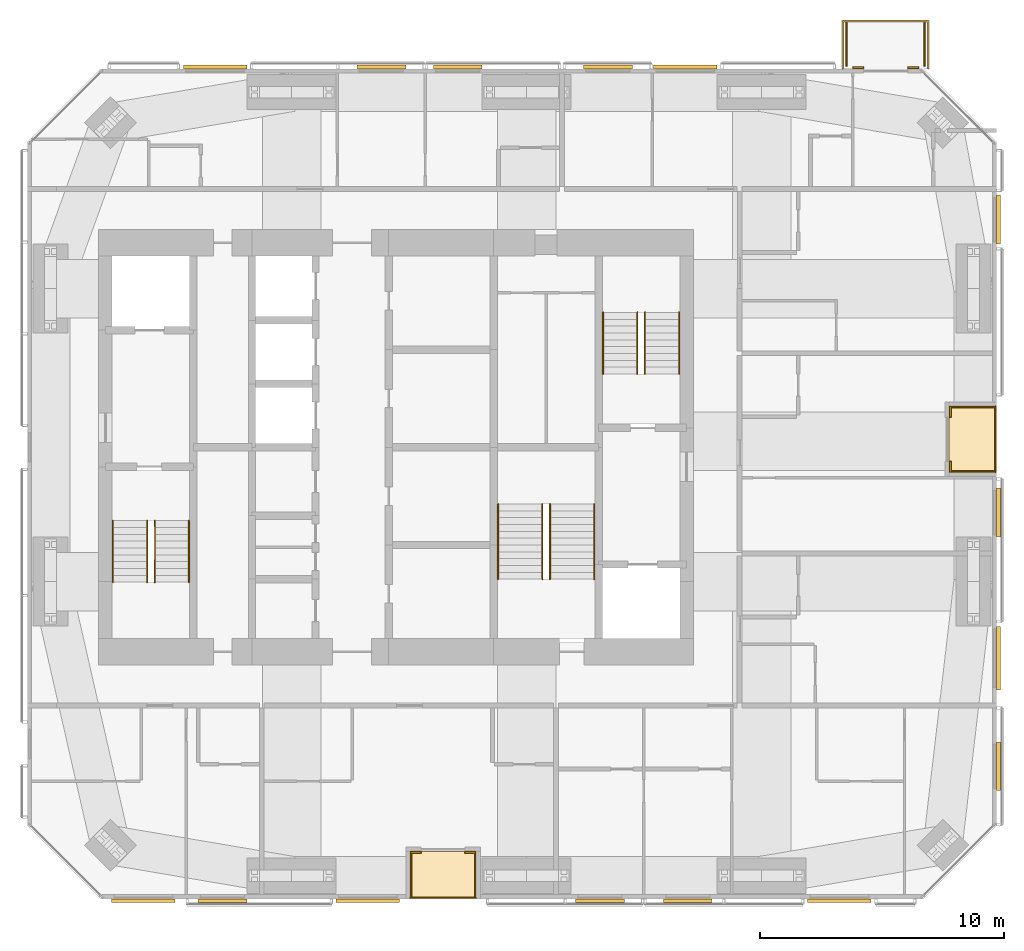
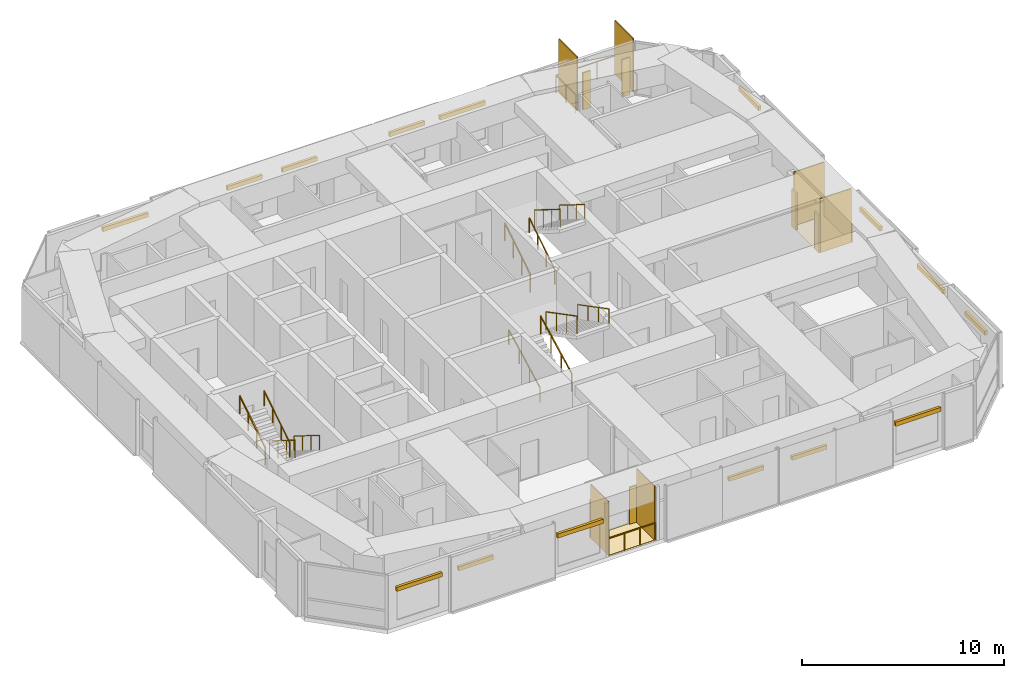
# One storey, part 19 of 19: 27 shading devices, 15 railings, 2 coverings.
"""IFC4 building model written with IfcOpenShell, lengths in metres."""

import ifcopenshell
import ifcopenshell.guid

model = None  # the IFC model being written
_history = None  # IfcOwnerHistory: only IFC2X3 demands one
_inside = {}  # id of a spatial element -> (the spatial element, [elements in it])
_under = {}  # id of a project, library or spatial element -> (it, [spatial elements below it])
_declared = {}  # id of a project -> (the project, [libraries it declares])
_typed = {}  # id of a type object -> (the type object, [elements of that type])
_made_of = {}  # id of a material, layer set ... -> (it, [elements and type objects made of it])


def new_model(schema):
    """Start an empty IFC model of exactly this schema.

    Asked for "IFC4X3", IfcOpenShell would pick the latest addendum, in which some entities
    have other attributes; the version numbers below select the first issue.
    IFC2X3 requires an IfcOwnerHistory on every rooted entity: one is made here for all.
    """
    global model, _history
    if schema == "IFC4X3":
        model = ifcopenshell.file(schema_version=(4, 3, 0, 0))
    else:
        model = ifcopenshell.file(schema=schema)
    _inside.clear()
    _under.clear()
    _declared.clear()
    _typed.clear()
    _made_of.clear()
    _history = None
    if model.schema == "IFC2X3":
        org = make("IfcOrganization", Name="unknown")
        user = make(
            "IfcPersonAndOrganization",
            ThePerson=make("IfcPerson", FamilyName="unknown"),
            TheOrganization=org,
        )
        app = make(
            "IfcApplication",
            ApplicationDeveloper=org,
            Version="unknown",
            ApplicationFullName="unknown",
            ApplicationIdentifier="unknown",
        )
        _history = make(
            "IfcOwnerHistory",
            OwningUser=user,
            OwningApplication=app,
            ChangeAction="ADDED",
            CreationDate=0,
        )
    return model


def make(cls, **values):
    """One entity of the class cls with the attributes given. An attribute that is None is left unset."""
    return model.create_entity(
        cls, **{name: value for name, value in values.items() if value is not None}
    )


def rooted(cls, **values):
    """An entity with a GlobalId (a new one), such as an element, a storey or a relation."""
    return make(cls, GlobalId=ifcopenshell.guid.new(), OwnerHistory=_history, **values)


def si_unit(unit_type, name, prefix=None):
    """IfcSIUnit, for example si_unit("LENGTHUNIT", "METRE", prefix="MILLI")."""
    return make("IfcSIUnit", UnitType=unit_type, Prefix=prefix, Name=name)


def assignment(units):
    """IfcUnitAssignment: the units of a project."""
    return None if units is None else make("IfcUnitAssignment", Units=units)


def point(xyz):
    """IfcCartesianPoint."""
    return None if xyz is None else make("IfcCartesianPoint", Coordinates=xyz)


def direction(xyz):
    """IfcDirection."""
    return None if xyz is None else make("IfcDirection", DirectionRatios=xyz)


def frame(location, z_axis=None, x_axis=None):
    """IfcAxis2Placement3D, a coordinate frame: its origin and axes. An axis left out is left unset."""
    return make(
        "IfcAxis2Placement3D",
        Location=point(location),
        Axis=direction(z_axis),
        RefDirection=direction(x_axis),
    )


def frame_2d(location, x_axis=None):
    """IfcAxis2Placement2D, a coordinate frame in the plane: its origin and x axis."""
    return make(
        "IfcAxis2Placement2D", Location=point(location), RefDirection=direction(x_axis)
    )


def origin():
    """The frame at (0, 0, 0) with its axes left unset."""
    return frame((0.0, 0.0, 0.0))


def origin_2d():
    """The frame at (0, 0) in the plane with its x axis left unset."""
    return frame_2d((0.0, 0.0))


def place(relative_to, where):
    """IfcLocalPlacement: puts the frame where relative to a parent placement (None: the world)."""
    return make(
        "IfcLocalPlacement", PlacementRelTo=relative_to, RelativePlacement=where
    )


def context(
    kind, dimensions, precision=None, world=None, true_north=None, identifier=None
):
    """IfcGeometricRepresentationContext, for example the 3D "Model" context."""
    return make(
        "IfcGeometricRepresentationContext",
        ContextIdentifier=identifier,
        ContextType=kind,
        CoordinateSpaceDimension=dimensions,
        Precision=precision,
        WorldCoordinateSystem=world,
        TrueNorth=true_north,
    )


def subcontext(parent, identifier, kind, view, scale=None):
    """IfcGeometricRepresentationSubContext, for example "Body" below "Model"."""
    return make(
        "IfcGeometricRepresentationSubContext",
        ContextIdentifier=identifier,
        ContextType=kind,
        ParentContext=parent,
        TargetScale=scale,
        TargetView=view,
    )


def project(units=None, contexts=None):
    """IfcProject with its units and contexts."""
    return rooted(
        "IfcProject",
        Name="project",
        RepresentationContexts=contexts,
        UnitsInContext=assignment(units),
    )


def spatial(cls, under=None, at=None, **own):
    """A site, building, storey or space (cls), placed at a placement, below another one or the project."""
    s = rooted(cls, ObjectPlacement=at, **own)
    if under is not None:
        _under.setdefault(under.id(), (under, []))[1].append(s)
    return s


def polyline(points):
    """IfcPolyline through the points."""
    return make("IfcPolyline", Points=[point(p) for p in points])


def profile(cls, at=None, kind="AREA", **sizes):
    """A parametric profile (cls). Its sizes go by their IFC names, for example OverallWidth=200.0."""
    return make(cls, ProfileType=kind, Position=at, **sizes)


def rectangle(**sizes):
    """IfcRectangleProfileDef."""
    return profile("IfcRectangleProfileDef", **sizes)


def circle(**sizes):
    """IfcCircleProfileDef."""
    return profile("IfcCircleProfileDef", **sizes)


def outline(outer, holes=None, kind="AREA"):
    """IfcArbitraryClosedProfileDef: a profile drawn as a closed curve; with holes, ...WithVoids."""
    if holes is None:
        return make("IfcArbitraryClosedProfileDef", ProfileType=kind, OuterCurve=outer)
    return make(
        "IfcArbitraryProfileDefWithVoids",
        ProfileType=kind,
        OuterCurve=outer,
        InnerCurves=holes,
    )


def extrude(swept, where, along, depth):
    """IfcExtrudedAreaSolid: the profile swept, set in the frame where, extruded along a direction by depth."""
    return make(
        "IfcExtrudedAreaSolid",
        SweptArea=swept,
        Position=where,
        ExtrudedDirection=direction(along),
        Depth=depth,
    )


def shape(context_of_items, identifier, shape_type, items):
    """IfcShapeRepresentation: the items that make up one representation, for example the "Body"."""
    return make(
        "IfcShapeRepresentation",
        ContextOfItems=context_of_items,
        RepresentationIdentifier=identifier,
        RepresentationType=shape_type,
        Items=items,
    )


def material(Name=None, Category=None):
    """IfcMaterial."""
    return make("IfcMaterial", Name=Name, Category=Category)


def layer(
    of_material, thickness, ventilated=None, Name=None, Category=None, Priority=None
):
    """IfcMaterialLayer: one layer of a wall or slab, of a material (None: an air gap)."""
    return make(
        "IfcMaterialLayer",
        Material=of_material,
        LayerThickness=thickness,
        IsVentilated=ventilated,
        Name=Name,
        Category=Category,
        Priority=Priority,
    )


def layer_set(layers, Name=None):
    """IfcMaterialLayerSet."""
    return make("IfcMaterialLayerSet", MaterialLayers=layers, LayerSetName=Name)


def constituent(of_material, Name=None, Category=None, fraction=None):
    """IfcMaterialConstituent: one of the materials an element consists of."""
    return make(
        "IfcMaterialConstituent",
        Name=Name,
        Material=of_material,
        Fraction=fraction,
        Category=Category,
    )


def constituent_set(constituents=None, Name=None):
    """IfcMaterialConstituentSet."""
    return make(
        "IfcMaterialConstituentSet", Name=Name, MaterialConstituents=constituents
    )


def made_of(thing, what):
    """Note that an element or type object is made of a material, layer set ...; save() writes the relation."""
    if what is not None:
        _made_of.setdefault(what.id(), (what, []))[1].append(thing)
    return thing


def type_object(cls, material=None, **own):
    """A type object (cls), such as IfcWallType, which elements share."""
    return made_of(rooted(cls, **own), material)


def element(
    cls,
    number,
    at=None,
    inside=None,
    cuts=None,
    type_object=None,
    material=None,
    context=None,
    identifier="Body",
    shape_type=None,
    held_by="IfcProductDefinitionShape",
    body=None,
    shapes=None,
    **own,
):
    """One element of the class cls, such as IfcWall. Its Tag is "e" and its number.

    at: its placement. inside: the storey or other place that contains it. cuts: it is an
    opening in that element (IfcRelVoidsElement). A single representation is given by context,
    identifier, shape_type and body (its items); several are given by shapes. held_by: the class
    of the entity that holds the representations. save() writes the other relations.
    """
    e = rooted(cls, Tag="e%d" % number, ObjectPlacement=at, **own)
    if body is not None:
        shapes = [shape(context, identifier, shape_type, body)]
    if shapes is not None:
        e.Representation = make(held_by, Representations=shapes)
    if inside is not None:
        _inside.setdefault(inside.id(), (inside, []))[1].append(e)
    if cuts is not None:
        rooted(
            "IfcRelVoidsElement", RelatingBuildingElement=cuts, RelatedOpeningElement=e
        )
    if type_object is not None:
        _typed.setdefault(type_object.id(), (type_object, []))[1].append(e)
    return made_of(e, material)


def aggregate(whole, parts):
    """IfcRelAggregates: a whole, such as a stair, and the parts it consists of."""
    return rooted("IfcRelAggregates", RelatingObject=whole, RelatedObjects=parts)


def save(model, path):
    """Write the relations noted so far, then the file.

    IfcRelAggregates (storeys below a building ...), IfcRelContainedInSpatialStructure (elements
    in a storey), IfcRelDefinesByType, IfcRelAssociatesMaterial and IfcRelDeclares: one each for
    every whole, place, type object, material and project.
    """
    for whole, parts in _under.values():
        aggregate(whole, parts)
    for where, things in _inside.values():
        rooted(
            "IfcRelContainedInSpatialStructure",
            RelatedElements=things,
            RelatingStructure=where,
        )
    for kind, things in _typed.values():
        rooted("IfcRelDefinesByType", RelatedObjects=things, RelatingType=kind)
    for what, things in _made_of.values():
        rooted("IfcRelAssociatesMaterial", RelatedObjects=things, RelatingMaterial=what)
    for by, libraries in _declared.values():
        rooted("IfcRelDeclares", RelatingContext=by, RelatedDefinitions=libraries)
    model.write(path)


model = new_model("IFC4")

# Units and contexts
model_context = context("Model", 3, precision=1e-05, world=origin(), true_north=direction((0.0, 1.0)))
body_context = subcontext(model_context, "Body", "Model", "MODEL_VIEW")
ifc_project = project(units=[si_unit("LENGTHUNIT", "METRE"), si_unit("AREAUNIT", "SQUARE_METRE"), si_unit("VOLUMEUNIT", "CUBIC_METRE"), si_unit("PLANEANGLEUNIT", "RADIAN"), si_unit("MASSUNIT", "GRAM", prefix="KILO")], contexts=[model_context])

# Site, building, storey
site_placement = place(None, origin())
site = spatial("IfcSite", under=ifc_project, at=site_placement, CompositionType="ELEMENT")
building_placement = place(site_placement, origin())
building = spatial("IfcBuilding", under=site, at=building_placement, Name="Jalousie Tower", CompositionType="ELEMENT")
storey_placement = place(building_placement, frame((0.0, 0.0, 224.949951171875)))
storey = spatial("IfcBuildingStorey", under=building, at=storey_placement, Name="L61", CompositionType="ELEMENT", Elevation=224.949951171875)

# Shading devices
ifc_material_1 = material(Name="Aluminium impact-rated louvred storm shutter", Category="aluminium")
shading_device_type_1 = type_object("IfcShadingDeviceType", Name="BI-FOLD STORM SHUTTER 900x2250", PredefinedType="SHUTTER", material=ifc_material_1)
for number, where, z_axis, x_axis, name in (
    (1, (32.699951171875, 1.909912109375, 0.0), (0.0, 0.0, 1.0), (1.0, 0.0, 0.0), "Loggia storm shutter L61"),
    (2, (34.949951171875, 1.909912109375, 0.0), (0.0, 0.0, 1.0), (1.0, 0.0, 0.0), "Loggia storm shutter L61"),
    (3, (54.590087890625, 17.699951171875, 0.0), (0.0, 0.0, 1.0), (0.0, 1.0, 0.0), "Loggia storm shutter L61"),
    (4, (54.590087890625, 19.949951171875, 0.0), (0.0, 0.0, 1.0), (0.0, 1.0, 0.0), "Loggia storm shutter L61"),
    (5, (53.07373046875, 34.0400390625, 0.0), (0.0, 0.0, 1.0), (-1.0, 0.0, 0.0), "Balcony storm shutter L61"),
    (6, (50.82373046875, 34.0400390625, 0.0), (0.0, 0.0, 1.0), (-1.0, 0.0, 0.0), "Balcony storm shutter L61"),
):
    element("IfcShadingDevice", number, at=place(storey_placement, frame(where, z_axis=z_axis, x_axis=x_axis)), inside=storey, type_object=shading_device_type_1, Name=name, PredefinedType="SHUTTER", context=body_context, shape_type="SweptSolid", body=[
        extrude(rectangle(XDim=0.449951171875, YDim=0.080078125, at=origin_2d()), origin(), (0.0, 0.0, 1.0), 2.25),
    ])

# Railings
ifc_material_2 = material(Name="Powder-coated aluminium fretwork", Category="aluminium")
railing_type_1 = type_object("IfcRailingType", Name="FRETWORK BALUSTRADE 1100", PredefinedType="BALUSTRADE", material=ifc_material_2)
railing_1_placement = place(storey_placement, frame((32.47509765625, 0.050048828125, 0.0)))
element("IfcRailing", 7, at=railing_1_placement, inside=storey, type_object=railing_type_1, Name="Loggia fretwork balustrade L61", PredefinedType="BALUSTRADE", context=body_context, shape_type="SweptSolid", body=[
    extrude(rectangle(XDim=0.048095703125, YDim=0.048095703125, at=origin_2d()), frame((0.0, 0.0, 1.076171875), z_axis=(1.0, 0.0, 0.0), x_axis=(0.0, 1.0, 0.0)), (0.0, 0.0, 1.0), 2.699951171875),
    extrude(circle(Radius=0.02099609375, at=origin_2d()), origin(), (0.0, 0.0, 1.0), 1.052001953125),
    extrude(circle(Radius=0.02099609375, at=origin_2d()), frame((0.89990234375, 0.0, 0.0)), (0.0, 0.0, 1.0), 1.052001953125),
    extrude(circle(Radius=0.02099609375, at=origin_2d()), frame((1.800048828125, 0.0, 0.0)), (0.0, 0.0, 1.0), 1.052001953125),
    extrude(circle(Radius=0.02099609375, at=origin_2d()), frame((2.699951171875, 0.0, 0.0)), (0.0, 0.0, 1.0), 1.052001953125),
])
railing_2_placement = place(storey_placement, frame((56.449951171875, 17.47509765625, 0.0)))
element("IfcRailing", 8, at=railing_2_placement, inside=storey, type_object=railing_type_1, Name="Loggia fretwork balustrade L61", PredefinedType="BALUSTRADE", context=body_context, shape_type="SweptSolid", body=[
    extrude(rectangle(XDim=0.048095703125, YDim=0.048095703125, at=origin_2d()), frame((0.0, 0.0, 1.076171875), z_axis=(0.0, 1.0, 0.0), x_axis=(-1.0, 0.0, 0.0)), (0.0, 0.0, 1.0), 2.699951171875),
    extrude(circle(Radius=0.02099609375, at=origin_2d()), origin(), (0.0, 0.0, 1.0), 1.052001953125),
    extrude(circle(Radius=0.02099609375, at=origin_2d()), frame((0.0, 0.89990234375, 0.0)), (0.0, 0.0, 1.0), 1.052001953125),
    extrude(circle(Radius=0.02099609375, at=origin_2d()), frame((0.0, 1.800048828125, 0.0)), (0.0, 0.0, 1.0), 1.052001953125),
    extrude(circle(Radius=0.02099609375, at=origin_2d()), frame((0.0, 2.699951171875, 0.0)), (0.0, 0.0, 1.0), 1.052001953125),
])
railing_3_placement = place(storey_placement, frame((53.69873046875, 34.0, 0.0)))
element("IfcRailing", 9, at=railing_3_placement, inside=storey, type_object=railing_type_1, Name="Balcony fretwork balustrade L61", PredefinedType="BALUSTRADE", context=body_context, shape_type="SweptSolid", body=[
    extrude(rectangle(XDim=0.048095703125, YDim=0.048095703125, at=origin_2d()), frame((0.0, 0.0, 1.076171875), z_axis=(0.0, 1.0, 0.0), x_axis=(-1.0, 0.0, 0.0)), (0.0, 0.0, 1.0), 1.949951171875),
    extrude(rectangle(XDim=0.048095703125, YDim=0.048095703125, at=origin_2d()), frame((0.0, 1.949951171875, 1.076171875), z_axis=(-1.0, 0.0, 0.0), x_axis=(0.0, -1.0, 0.0)), (0.0, 0.0, 1.0), 3.5),
    extrude(rectangle(XDim=0.048095703125, YDim=0.048095703125, at=origin_2d()), frame((-3.5, 1.949951171875, 1.076171875), z_axis=(0.0, -1.0, 0.0), x_axis=(1.0, 0.0, 0.0)), (0.0, 0.0, 1.0), 1.949951171875),
    extrude(circle(Radius=0.02099609375, at=origin_2d()), origin(), (0.0, 0.0, 1.0), 1.052001953125),
    extrude(circle(Radius=0.02099609375, at=origin_2d()), frame((0.0, 0.97509765625, 0.0)), (0.0, 0.0, 1.0), 1.052001953125),
    extrude(circle(Radius=0.02099609375, at=origin_2d()), frame((0.0, 1.949951171875, 0.0)), (0.0, 0.0, 1.0), 1.052001953125),
    extrude(circle(Radius=0.02099609375, at=origin_2d()), frame((-1.166748046875, 1.949951171875, 0.0)), (0.0, 0.0, 1.0), 1.052001953125),
    extrude(circle(Radius=0.02099609375, at=origin_2d()), frame((-2.333251953125, 1.949951171875, 0.0)), (0.0, 0.0, 1.0), 1.052001953125),
    extrude(circle(Radius=0.02099609375, at=origin_2d()), frame((-3.5, 1.949951171875, 0.0)), (0.0, 0.0, 1.0), 1.052001953125),
    extrude(circle(Radius=0.02099609375, at=origin_2d()), frame((-3.5, 0.97509765625, 0.0)), (0.0, 0.0, 1.0), 1.052001953125),
    extrude(circle(Radius=0.02099609375, at=origin_2d()), frame((-3.5, 0.0, 0.0)), (0.0, 0.0, 1.0), 1.052001953125),
])

# Shading devices
ifc_material_3 = material(Name="Powder-coated aluminium louvres", Category="aluminium")
ifc_layer_1 = layer(ifc_material_3, 0.06005859375)
ifc_layer_set_1 = layer_set([ifc_layer_1], Name="Powder-coated aluminium louvres")
shading_device_type_2 = type_object("IfcShadingDeviceType", Name="JALOUSIE LOUVRE SCREEN", PredefinedType="JALOUSIE", material=ifc_layer_set_1)
for number, where, z_axis, x_axis, name in (
    (10, (32.5048828125, 0.97509765625, 0.0), (0.0, 0.0, 1.0), (1.0, 0.0, 0.0), "Loggia jalousie louvre screen L61"),
    (11, (35.14501953125, 0.97509765625, 0.0), (0.0, 0.0, 1.0), (1.0, 0.0, 0.0), "Loggia jalousie louvre screen L61"),
    (12, (55.52490234375, 17.5048828125, 0.0), (0.0, 0.0, 1.0), (0.0, 1.0, 0.0), "Loggia jalousie louvre screen L61"),
    (13, (55.52490234375, 20.14501953125, 0.0), (0.0, 0.0, 1.0), (0.0, 1.0, 0.0), "Loggia jalousie louvre screen L61"),
):
    element("IfcShadingDevice", number, at=place(storey_placement, frame(where, z_axis=z_axis, x_axis=x_axis)), inside=storey, type_object=shading_device_type_2, Name=name, PredefinedType="JALOUSIE", context=body_context, shape_type="SweptSolid", body=[
        extrude(rectangle(XDim=0.06005859375, YDim=1.75, at=origin_2d()), origin(), (0.0, 0.0, 1.0), 3.260009765625),
    ])
for number, where, z_axis, x_axis, name in (
    (14, (53.548583984375, 35.0, 0.0), (0.0, 0.0, 1.0), (-1.0, 0.0, 0.0), "Jalousie louvre screen L61"),
    (15, (50.3486328125, 35.0, 0.0), (0.0, 0.0, 1.0), (-1.0, 0.0, 0.0), "Jalousie louvre screen L61"),
):
    element("IfcShadingDevice", number, at=place(storey_placement, frame(where, z_axis=z_axis, x_axis=x_axis)), inside=storey, type_object=shading_device_type_2, Name=name, PredefinedType="JALOUSIE", context=body_context, shape_type="SweptSolid", body=[
        extrude(rectangle(XDim=0.06005859375, YDim=1.800048828125, at=origin_2d()), origin(), (0.0, 0.0, 1.0), 3.260009765625),
    ])

# Railings
ifc_material_4 = material(Name="Steel ASTM A500 Grade C", Category="steel")
ifc_constituent_1 = constituent(ifc_material_4, Name="Body")
ifc_material_5 = material(Name="Hot-dip galvanised zinc coating")
ifc_constituent_2 = constituent(ifc_material_5, Name="Finish")
ifc_constituent_set_1 = constituent_set(constituents=[ifc_constituent_1, ifc_constituent_2])
railing_type_2 = type_object("IfcRailingType", Name="STAIR GUARD 1100", PredefinedType="GUARDRAIL", material=ifc_constituent_set_1)
railing_4_placement = place(storey_placement, frame((22.017578125, 15.49755859375, 0.175048828125)))
element("IfcRailing", 16, at=railing_4_placement, inside=storey, type_object=railing_type_2, Name="Exit stair A guard L61 flight 1", PredefinedType="GUARDRAIL", context=body_context, shape_type="SweptSolid", body=[
    extrude(rectangle(XDim=0.048095703125, YDim=0.048095703125, at=origin_2d()), frame((0.0, 0.0, 1.076171875), z_axis=(0.0, -0.848007534815, 0.529984170421), x_axis=(1.0, 0.0, 0.0)), (0.0, 0.0, 1.0), 2.9716796875),
    extrude(circle(Radius=0.02099609375, at=origin_2d()), origin(), (0.0, 0.0, 1.0), 1.052001953125),
    extrude(circle(Radius=0.02099609375, at=origin_2d()), frame((0.0, -0.840087890625, 0.52490234375)), (0.0, 0.0, 1.0), 1.052001953125),
    extrude(circle(Radius=0.02099609375, at=origin_2d()), frame((0.0, -1.679931640625, 1.050048828125)), (0.0, 0.0, 1.0), 1.052001953125),
    extrude(circle(Radius=0.02099609375, at=origin_2d()), frame((0.0, -2.52001953125, 1.574951171875)), (0.0, 0.0, 1.0), 1.052001953125),
])
for number, where, name in (
    (17, (20.304931640625, 12.9775390625, 1.925048828125), "Exit stair A guard L61 flight 2"),
    (18, (40.3798828125, 21.50244140625, 0.175048828125), "Exit stair B guard L61 flight 1"),
):
    element("IfcRailing", number, at=place(storey_placement, frame(where)), inside=storey, type_object=railing_type_2, Name=name, PredefinedType="GUARDRAIL", context=body_context, shape_type="SweptSolid", body=[
        extrude(rectangle(XDim=0.048095703125, YDim=0.048095703125, at=origin_2d()), frame((0.0, 0.0, 1.076171875), z_axis=(0.0, 0.848007534815, 0.529984170421), x_axis=(-1.0, 0.0, 0.0)), (0.0, 0.0, 1.0), 2.9716796875),
        extrude(circle(Radius=0.02099609375, at=origin_2d()), origin(), (0.0, 0.0, 1.0), 1.052001953125),
        extrude(circle(Radius=0.02099609375, at=origin_2d()), frame((0.0, 0.840087890625, 0.52490234375)), (0.0, 0.0, 1.0), 1.052001953125),
        extrude(circle(Radius=0.02099609375, at=origin_2d()), frame((0.0, 1.679931640625, 1.050048828125)), (0.0, 0.0, 1.0), 1.052001953125),
        extrude(circle(Radius=0.02099609375, at=origin_2d()), frame((0.0, 2.52001953125, 1.574951171875)), (0.0, 0.0, 1.0), 1.052001953125),
    ])
railing_5_placement = place(storey_placement, frame((42.092529296875, 24.0224609375, 1.925048828125)))
element("IfcRailing", 19, at=railing_5_placement, inside=storey, type_object=railing_type_2, Name="Exit stair B guard L61 flight 2", PredefinedType="GUARDRAIL", context=body_context, shape_type="SweptSolid", body=[
    extrude(rectangle(XDim=0.048095703125, YDim=0.048095703125, at=origin_2d()), frame((0.0, 0.0, 1.076171875), z_axis=(0.0, -0.848007534815, 0.529984170421), x_axis=(1.0, 0.0, 0.0)), (0.0, 0.0, 1.0), 2.9716796875),
    extrude(circle(Radius=0.02099609375, at=origin_2d()), origin(), (0.0, 0.0, 1.0), 1.052001953125),
    extrude(circle(Radius=0.02099609375, at=origin_2d()), frame((0.0, -0.840087890625, 0.52490234375)), (0.0, 0.0, 1.0), 1.052001953125),
    extrude(circle(Radius=0.02099609375, at=origin_2d()), frame((0.0, -1.679931640625, 1.050048828125)), (0.0, 0.0, 1.0), 1.052001953125),
    extrude(circle(Radius=0.02099609375, at=origin_2d()), frame((0.0, -2.52001953125, 1.574951171875)), (0.0, 0.0, 1.0), 1.052001953125),
])
railing_6_placement = place(storey_placement, frame((37.89501953125, 13.097412109375, 0.145751953125)))
element("IfcRailing", 20, at=railing_6_placement, inside=storey, type_object=railing_type_2, Name="Exit stair C guard L61 flight 1", PredefinedType="GUARDRAIL", context=body_context, shape_type="SweptSolid", body=[
    extrude(rectangle(XDim=0.048095703125, YDim=0.048095703125, at=origin_2d()), frame((0.0, 0.0, 1.076171875), z_axis=(0.0, 0.886909283822, 0.461943635383), x_axis=(-1.0, 0.0, 0.0)), (0.0, 0.0, 1.0), 3.472900390625),
    extrude(circle(Radius=0.02099609375, at=origin_2d()), origin(), (0.0, 0.0, 1.0), 1.052001953125),
    extrude(circle(Radius=0.02099609375, at=origin_2d()), frame((0.0, 1.026611328125, 0.53466796875)), (0.0, 0.0, 1.0), 1.052001953125),
    extrude(circle(Radius=0.02099609375, at=origin_2d()), frame((0.0, 2.053466796875, 1.069580078125)), (0.0, 0.0, 1.0), 1.052001953125),
    extrude(circle(Radius=0.02099609375, at=origin_2d()), frame((0.0, 3.080078125, 1.604248046875)), (0.0, 0.0, 1.0), 1.052001953125),
])
railing_7_placement = place(storey_placement, frame((38.205078125, 16.177490234375, 1.895751953125)))
element("IfcRailing", 21, at=railing_7_placement, inside=storey, type_object=railing_type_2, Name="Exit stair C guard L61 flight 2", PredefinedType="GUARDRAIL", context=body_context, shape_type="SweptSolid", body=[
    extrude(rectangle(XDim=0.048095703125, YDim=0.048095703125, at=origin_2d()), frame((0.0, 0.0, 1.076171875), z_axis=(0.0, -0.886909283822, 0.461943635383), x_axis=(1.0, 0.0, 0.0)), (0.0, 0.0, 1.0), 3.472900390625),
    extrude(circle(Radius=0.02099609375, at=origin_2d()), origin(), (0.0, 0.0, 1.0), 1.052001953125),
    extrude(circle(Radius=0.02099609375, at=origin_2d()), frame((0.0, -1.026611328125, 0.53466796875)), (0.0, 0.0, 1.0), 1.052001953125),
    extrude(circle(Radius=0.02099609375, at=origin_2d()), frame((0.0, -2.053466796875, 1.069580078125)), (0.0, 0.0, 1.0), 1.052001953125),
    extrude(circle(Radius=0.02099609375, at=origin_2d()), frame((0.0, -3.080078125, 1.604248046875)), (0.0, 0.0, 1.0), 1.052001953125),
])
ifc_material_6 = material(Name="Steel ASTM A500 Grade C", Category="steel")
ifc_constituent_3 = constituent(ifc_material_6, Name="Body")
ifc_material_7 = material(Name="Hot-dip galvanised zinc coating")
ifc_constituent_4 = constituent(ifc_material_7, Name="Finish")
ifc_constituent_set_2 = constituent_set(constituents=[ifc_constituent_3, ifc_constituent_4])
railing_type_3 = type_object("IfcRailingType", Name="STAIR HANDRAIL 900", PredefinedType="HANDRAIL", material=ifc_constituent_set_2)
railing_8_placement = place(storey_placement, frame((23.420166015625, 15.49755859375, 0.175048828125)))
element("IfcRailing", 22, at=railing_8_placement, inside=storey, type_object=railing_type_3, Name="Exit stair A handrail L61 flight 1", PredefinedType="HANDRAIL", context=body_context, shape_type="SweptSolid", body=[
    extrude(circle(Radius=0.02392578125, at=origin_2d()), frame((0.0, 0.0, 0.8759765625), z_axis=(0.0, -0.848007534815, 0.529984170421), x_axis=(1.0, 0.0, 0.0)), (0.0, 0.0, 1.0), 2.9716796875),
    extrude(circle(Radius=0.02099609375, at=origin_2d()), origin(), (0.0, 0.0, 1.0), 0.851806640625),
    extrude(circle(Radius=0.02099609375, at=origin_2d()), frame((0.0, -0.840087890625, 0.52490234375)), (0.0, 0.0, 1.0), 0.851806640625),
    extrude(circle(Radius=0.02099609375, at=origin_2d()), frame((0.0, -1.679931640625, 1.050048828125)), (0.0, 0.0, 1.0), 0.851806640625),
    extrude(circle(Radius=0.02099609375, at=origin_2d()), frame((0.0, -2.52001953125, 1.574951171875)), (0.0, 0.0, 1.0), 0.851806640625),
])
for number, where, name in (
    (23, (21.70751953125, 12.9775390625, 1.925048828125), "Exit stair A handrail L61 flight 2"),
    (24, (41.782470703125, 21.50244140625, 0.175048828125), "Exit stair B handrail L61 flight 1"),
):
    element("IfcRailing", number, at=place(storey_placement, frame(where)), inside=storey, type_object=railing_type_3, Name=name, PredefinedType="HANDRAIL", context=body_context, shape_type="SweptSolid", body=[
        extrude(circle(Radius=0.02392578125, at=origin_2d()), frame((0.0, 0.0, 0.8759765625), z_axis=(0.0, 0.848007534815, 0.529984170421), x_axis=(-1.0, 0.0, 0.0)), (0.0, 0.0, 1.0), 2.9716796875),
        extrude(circle(Radius=0.02099609375, at=origin_2d()), origin(), (0.0, 0.0, 1.0), 0.851806640625),
        extrude(circle(Radius=0.02099609375, at=origin_2d()), frame((0.0, 0.840087890625, 0.52490234375)), (0.0, 0.0, 1.0), 0.851806640625),
        extrude(circle(Radius=0.02099609375, at=origin_2d()), frame((0.0, 1.679931640625, 1.050048828125)), (0.0, 0.0, 1.0), 0.851806640625),
        extrude(circle(Radius=0.02099609375, at=origin_2d()), frame((0.0, 2.52001953125, 1.574951171875)), (0.0, 0.0, 1.0), 0.851806640625),
    ])
railing_9_placement = place(storey_placement, frame((43.4951171875, 24.0224609375, 1.925048828125)))
element("IfcRailing", 25, at=railing_9_placement, inside=storey, type_object=railing_type_3, Name="Exit stair B handrail L61 flight 2", PredefinedType="HANDRAIL", context=body_context, shape_type="SweptSolid", body=[
    extrude(circle(Radius=0.02392578125, at=origin_2d()), frame((0.0, 0.0, 0.8759765625), z_axis=(0.0, -0.848007534815, 0.529984170421), x_axis=(1.0, 0.0, 0.0)), (0.0, 0.0, 1.0), 2.9716796875),
    extrude(circle(Radius=0.02099609375, at=origin_2d()), origin(), (0.0, 0.0, 1.0), 0.851806640625),
    extrude(circle(Radius=0.02099609375, at=origin_2d()), frame((0.0, -0.840087890625, 0.52490234375)), (0.0, 0.0, 1.0), 0.851806640625),
    extrude(circle(Radius=0.02099609375, at=origin_2d()), frame((0.0, -1.679931640625, 1.050048828125)), (0.0, 0.0, 1.0), 0.851806640625),
    extrude(circle(Radius=0.02099609375, at=origin_2d()), frame((0.0, -2.52001953125, 1.574951171875)), (0.0, 0.0, 1.0), 0.851806640625),
])
railing_10_placement = place(storey_placement, frame((36.080078125, 13.097412109375, 0.145751953125)))
element("IfcRailing", 26, at=railing_10_placement, inside=storey, type_object=railing_type_3, Name="Exit stair C handrail L61 flight 1", PredefinedType="HANDRAIL", context=body_context, shape_type="SweptSolid", body=[
    extrude(circle(Radius=0.02392578125, at=origin_2d()), frame((0.0, 0.0, 0.8759765625), z_axis=(0.0, 0.886909283822, 0.461943635383), x_axis=(-1.0, 0.0, 0.0)), (0.0, 0.0, 1.0), 3.472900390625),
    extrude(circle(Radius=0.02099609375, at=origin_2d()), origin(), (0.0, 0.0, 1.0), 0.851806640625),
    extrude(circle(Radius=0.02099609375, at=origin_2d()), frame((0.0, 1.026611328125, 0.53466796875)), (0.0, 0.0, 1.0), 0.851806640625),
    extrude(circle(Radius=0.02099609375, at=origin_2d()), frame((0.0, 2.053466796875, 1.069580078125)), (0.0, 0.0, 1.0), 0.851806640625),
    extrude(circle(Radius=0.02099609375, at=origin_2d()), frame((0.0, 3.080078125, 1.604248046875)), (0.0, 0.0, 1.0), 0.851806640625),
])
railing_11_placement = place(storey_placement, frame((40.02001953125, 16.177490234375, 1.895751953125)))
element("IfcRailing", 27, at=railing_11_placement, inside=storey, type_object=railing_type_3, Name="Exit stair C handrail L61 flight 2", PredefinedType="HANDRAIL", context=body_context, shape_type="SweptSolid", body=[
    extrude(circle(Radius=0.02392578125, at=origin_2d()), frame((0.0, 0.0, 0.8759765625), z_axis=(0.0, -0.886909283822, 0.461943635383), x_axis=(1.0, 0.0, 0.0)), (0.0, 0.0, 1.0), 3.472900390625),
    extrude(circle(Radius=0.02099609375, at=origin_2d()), origin(), (0.0, 0.0, 1.0), 0.851806640625),
    extrude(circle(Radius=0.02099609375, at=origin_2d()), frame((0.0, -1.026611328125, 0.53466796875)), (0.0, 0.0, 1.0), 0.851806640625),
    extrude(circle(Radius=0.02099609375, at=origin_2d()), frame((0.0, -2.053466796875, 1.069580078125)), (0.0, 0.0, 1.0), 0.851806640625),
    extrude(circle(Radius=0.02099609375, at=origin_2d()), frame((0.0, -3.080078125, 1.604248046875)), (0.0, 0.0, 1.0), 0.851806640625),
])

# Shading devices
ifc_material_8 = material(Name="Aluminium roller storm shutter", Category="aluminium")
shading_device_type_3 = type_object("IfcShadingDeviceType", Name="STORM SHUTTER HOUSING", PredefinedType="SHUTTER", material=ifc_material_8)
shading_device_1_placement = place(storey_placement, frame((21.550537109375, -0.074951171875, 2.25), z_axis=(0.0, 0.0, 1.0), x_axis=(1.0, 0.0, 0.0)))
element("IfcShadingDevice", 28, at=shading_device_1_placement, inside=storey, type_object=shading_device_type_3, Name="Storm shutter L61", PredefinedType="SHUTTER", context=body_context, shape_type="SweptSolid", body=[
    extrude(rectangle(XDim=2.60009765625, YDim=0.14990234375, at=origin_2d()), origin(), (0.0, 0.0, 1.0), 0.25),
])
shading_device_2_placement = place(storey_placement, frame((24.791259765625, -0.074951171875, 2.25), z_axis=(0.0, 0.0, 1.0), x_axis=(1.0, 0.0, 0.0)))
element("IfcShadingDevice", 29, at=shading_device_2_placement, inside=storey, type_object=shading_device_type_3, Name="Storm shutter L61", PredefinedType="SHUTTER", context=body_context, shape_type="SweptSolid", body=[
    extrude(rectangle(XDim=2.0, YDim=0.14990234375, at=origin_2d()), origin(), (0.0, 0.0, 1.0), 0.25),
])
shading_device_3_placement = place(storey_placement, frame((30.75, -0.074951171875, 2.25), z_axis=(0.0, 0.0, 1.0), x_axis=(1.0, 0.0, 0.0)))
element("IfcShadingDevice", 30, at=shading_device_3_placement, inside=storey, type_object=shading_device_type_3, Name="Storm shutter L61", PredefinedType="SHUTTER", context=body_context, shape_type="SweptSolid", body=[
    extrude(rectangle(XDim=2.60009765625, YDim=0.14990234375, at=origin_2d()), origin(), (0.0, 0.0, 1.0), 0.25),
])
for number, where, z_axis, x_axis, name in (
    (31, (40.25, -0.074951171875, 2.25), (0.0, 0.0, 1.0), (1.0, 0.0, 0.0), "Storm shutter L61"),
    (32, (43.85009765625, -0.074951171875, 2.25), (0.0, 0.0, 1.0), (1.0, 0.0, 0.0), "Storm shutter L61"),
):
    element("IfcShadingDevice", number, at=place(storey_placement, frame(where, z_axis=z_axis, x_axis=x_axis)), inside=storey, type_object=shading_device_type_3, Name=name, PredefinedType="SHUTTER", context=body_context, shape_type="SweptSolid", body=[
        extrude(rectangle(XDim=2.0, YDim=0.14990234375, at=origin_2d()), origin(), (0.0, 0.0, 1.0), 0.25),
    ])
shading_device_4_placement = place(storey_placement, frame((50.059326171875, -0.074951171875, 2.25), z_axis=(0.0, 0.0, 1.0), x_axis=(1.0, 0.0, 0.0)))
element("IfcShadingDevice", 33, at=shading_device_4_placement, inside=storey, type_object=shading_device_type_3, Name="Storm shutter L61", PredefinedType="SHUTTER", context=body_context, shape_type="SweptSolid", body=[
    extrude(rectangle(XDim=2.60009765625, YDim=0.14990234375, at=origin_2d()), origin(), (0.0, 0.0, 1.0), 0.25),
])
shading_device_5_placement = place(storey_placement, frame((56.574951171875, 5.43798828125, 2.25), z_axis=(0.0, 0.0, 1.0), x_axis=(0.0, 1.0, 0.0)))
element("IfcShadingDevice", 34, at=shading_device_5_placement, inside=storey, type_object=shading_device_type_3, Name="Storm shutter L61", PredefinedType="SHUTTER", context=body_context, shape_type="SweptSolid", body=[
    extrude(rectangle(XDim=2.0, YDim=0.14990234375, at=origin_2d()), origin(), (0.0, 0.0, 1.0), 0.25),
])
shading_device_6_placement = place(storey_placement, frame((56.574951171875, 9.867431640625, 2.25), z_axis=(0.0, 0.0, 1.0), x_axis=(0.0, 1.0, 0.0)))
element("IfcShadingDevice", 35, at=shading_device_6_placement, inside=storey, type_object=shading_device_type_3, Name="Storm shutter L61", PredefinedType="SHUTTER", context=body_context, shape_type="SweptSolid", body=[
    extrude(rectangle(XDim=2.60009765625, YDim=0.14990234375, at=origin_2d()), origin(), (0.0, 0.0, 1.0), 0.25),
])
for number, where, z_axis, x_axis, name in (
    (36, (56.574951171875, 15.826171875, 2.25), (0.0, 0.0, 1.0), (0.0, 1.0, 0.0), "Storm shutter L61"),
    (37, (56.574951171875, 27.824951171875, 2.25), (0.0, 0.0, 1.0), (0.0, 1.0, 0.0), "Storm shutter L61"),
):
    element("IfcShadingDevice", number, at=place(storey_placement, frame(where, z_axis=z_axis, x_axis=x_axis)), inside=storey, type_object=shading_device_type_3, Name=name, PredefinedType="SHUTTER", context=body_context, shape_type="SweptSolid", body=[
        extrude(rectangle(XDim=2.0, YDim=0.14990234375, at=origin_2d()), origin(), (0.0, 0.0, 1.0), 0.25),
    ])
shading_device_7_placement = place(storey_placement, frame((43.75, 34.074951171875, 2.25), z_axis=(0.0, 0.0, 1.0), x_axis=(-1.0, 0.0, 0.0)))
element("IfcShadingDevice", 38, at=shading_device_7_placement, inside=storey, type_object=shading_device_type_3, Name="Storm shutter L61", PredefinedType="SHUTTER", context=body_context, shape_type="SweptSolid", body=[
    extrude(rectangle(XDim=2.60009765625, YDim=0.14990234375, at=origin_2d()), origin(), (0.0, 0.0, 1.0), 0.25),
])
for number, where, z_axis, x_axis, name in (
    (39, (40.574951171875, 34.074951171875, 2.25), (0.0, 0.0, 1.0), (-1.0, 0.0, 0.0), "Storm shutter L61"),
    (40, (34.425048828125, 34.074951171875, 2.25), (0.0, 0.0, 1.0), (-1.0, 0.0, 0.0), "Storm shutter L61"),
    (41, (31.300048828125, 34.074951171875, 2.25), (0.0, 0.0, 1.0), (-1.0, 0.0, 0.0), "Storm shutter L61"),
):
    element("IfcShadingDevice", number, at=place(storey_placement, frame(where, z_axis=z_axis, x_axis=x_axis)), inside=storey, type_object=shading_device_type_3, Name=name, PredefinedType="SHUTTER", context=body_context, shape_type="SweptSolid", body=[
        extrude(rectangle(XDim=2.0, YDim=0.14990234375, at=origin_2d()), origin(), (0.0, 0.0, 1.0), 0.25),
    ])
shading_device_8_placement = place(storey_placement, frame((24.48828125, 34.074951171875, 2.25), z_axis=(0.0, 0.0, 1.0), x_axis=(-1.0, 0.0, 0.0)))
element("IfcShadingDevice", 42, at=shading_device_8_placement, inside=storey, type_object=shading_device_type_3, Name="Storm shutter L61", PredefinedType="SHUTTER", context=body_context, shape_type="SweptSolid", body=[
    extrude(rectangle(XDim=2.60009765625, YDim=0.14990234375, at=origin_2d()), origin(), (0.0, 0.0, 1.0), 0.25),
])

# Coverings
ifc_material_9 = material(Name="Porcelain paving on adjustable pedestals", Category="masonry")
ifc_layer_2 = layer(ifc_material_9, 0.02001953125)
ifc_layer_set_2 = layer_set([ifc_layer_2], Name="Porcelain paving on adjustable pedestals")
covering_type = type_object("IfcCoveringType", Name="TERRACE PAVING 20", PredefinedType="FLOORING", material=ifc_layer_set_2)
covering_1_placement = place(storey_placement, origin())
element("IfcCovering", 43, at=covering_1_placement, inside=storey, type_object=covering_type, Name="Apartment 6102 terrace paving", PredefinedType="FLOORING", context=body_context, shape_type="SweptSolid", body=[
    extrude(outline(polyline([(32.47509765625, 0.080078125), (35.175048828125, 0.080078125), (35.175048828125, 1.949951171875), (32.47509765625, 1.949951171875), (32.47509765625, 0.080078125)])), origin(), (0.0, 0.0, 1.0), 0.02001953125),
])
covering_2_placement = place(storey_placement, origin())
element("IfcCovering", 44, at=covering_2_placement, inside=storey, type_object=covering_type, Name="Apartment 6107 terrace paving", PredefinedType="FLOORING", context=body_context, shape_type="SweptSolid", body=[
    extrude(outline(polyline([(56.419921875, 17.47509765625), (56.419921875, 20.175048828125), (54.550048828125, 20.175048828125), (54.550048828125, 17.47509765625), (56.419921875, 17.47509765625)])), origin(), (0.0, 0.0, 1.0), 0.02001953125),
])

save(model, "model.ifc")
